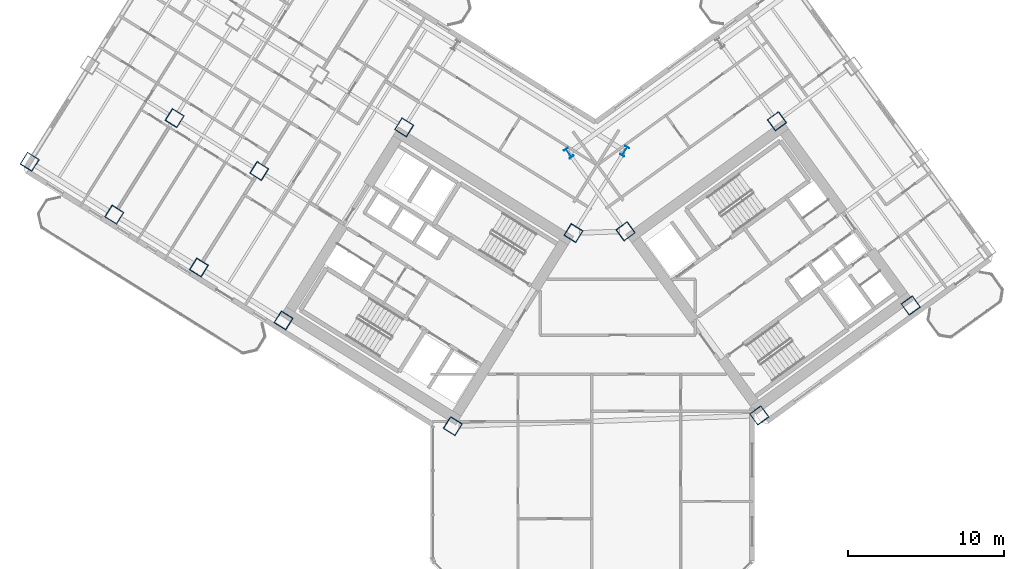
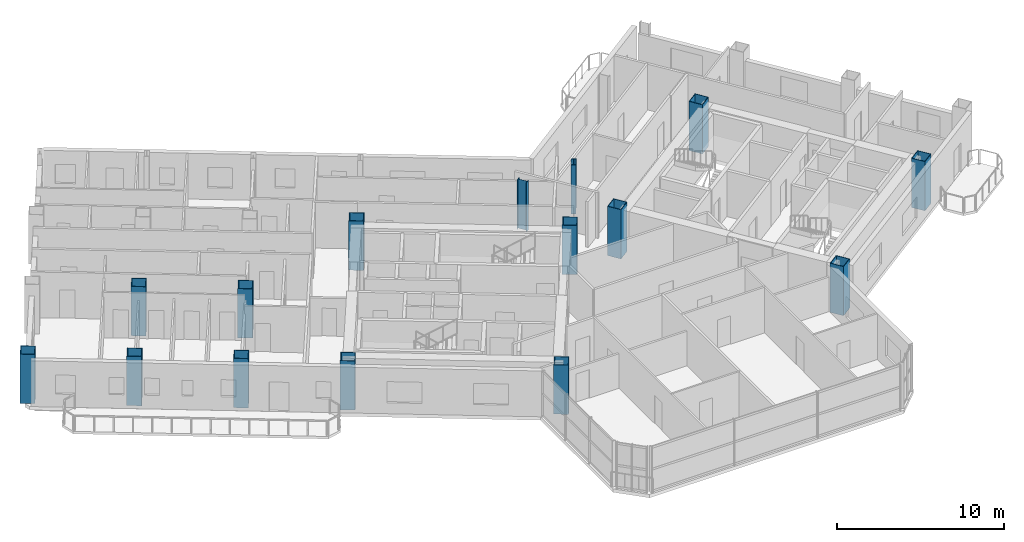
# One storey, part 1 of 21: 15 columns.
"""IFC4 building model written with IfcOpenShell, lengths in metres."""

import ifcopenshell
import ifcopenshell.guid

model = None  # the IFC model being written
_history = None  # IfcOwnerHistory: only IFC2X3 demands one
_inside = {}  # id of a spatial element -> (the spatial element, [elements in it])
_under = {}  # id of a project, library or spatial element -> (it, [spatial elements below it])
_declared = {}  # id of a project -> (the project, [libraries it declares])
_typed = {}  # id of a type object -> (the type object, [elements of that type])
_made_of = {}  # id of a material, layer set ... -> (it, [elements and type objects made of it])


def new_model(schema):
    """Start an empty IFC model of exactly this schema.

    Asked for "IFC4X3", IfcOpenShell would pick the latest addendum, in which some entities
    have other attributes; the version numbers below select the first issue.
    IFC2X3 requires an IfcOwnerHistory on every rooted entity: one is made here for all.
    """
    global model, _history
    if schema == "IFC4X3":
        model = ifcopenshell.file(schema_version=(4, 3, 0, 0))
    else:
        model = ifcopenshell.file(schema=schema)
    _inside.clear()
    _under.clear()
    _declared.clear()
    _typed.clear()
    _made_of.clear()
    _history = None
    if model.schema == "IFC2X3":
        org = make("IfcOrganization", Name="unknown")
        user = make(
            "IfcPersonAndOrganization",
            ThePerson=make("IfcPerson", FamilyName="unknown"),
            TheOrganization=org,
        )
        app = make(
            "IfcApplication",
            ApplicationDeveloper=org,
            Version="unknown",
            ApplicationFullName="unknown",
            ApplicationIdentifier="unknown",
        )
        _history = make(
            "IfcOwnerHistory",
            OwningUser=user,
            OwningApplication=app,
            ChangeAction="ADDED",
            CreationDate=0,
        )
    return model


def make(cls, **values):
    """One entity of the class cls with the attributes given. An attribute that is None is left unset."""
    return model.create_entity(
        cls, **{name: value for name, value in values.items() if value is not None}
    )


def rooted(cls, **values):
    """An entity with a GlobalId (a new one), such as an element, a storey or a relation."""
    return make(cls, GlobalId=ifcopenshell.guid.new(), OwnerHistory=_history, **values)


def si_unit(unit_type, name, prefix=None):
    """IfcSIUnit, for example si_unit("LENGTHUNIT", "METRE", prefix="MILLI")."""
    return make("IfcSIUnit", UnitType=unit_type, Prefix=prefix, Name=name)


def assignment(units):
    """IfcUnitAssignment: the units of a project."""
    return None if units is None else make("IfcUnitAssignment", Units=units)


def point(xyz):
    """IfcCartesianPoint."""
    return None if xyz is None else make("IfcCartesianPoint", Coordinates=xyz)


def direction(xyz):
    """IfcDirection."""
    return None if xyz is None else make("IfcDirection", DirectionRatios=xyz)


def frame(location, z_axis=None, x_axis=None):
    """IfcAxis2Placement3D, a coordinate frame: its origin and axes. An axis left out is left unset."""
    return make(
        "IfcAxis2Placement3D",
        Location=point(location),
        Axis=direction(z_axis),
        RefDirection=direction(x_axis),
    )


def frame_2d(location, x_axis=None):
    """IfcAxis2Placement2D, a coordinate frame in the plane: its origin and x axis."""
    return make(
        "IfcAxis2Placement2D", Location=point(location), RefDirection=direction(x_axis)
    )


def origin():
    """The frame at (0, 0, 0) with its axes left unset."""
    return frame((0.0, 0.0, 0.0))


def origin_2d():
    """The frame at (0, 0) in the plane with its x axis left unset."""
    return frame_2d((0.0, 0.0))


def place(relative_to, where):
    """IfcLocalPlacement: puts the frame where relative to a parent placement (None: the world)."""
    return make(
        "IfcLocalPlacement", PlacementRelTo=relative_to, RelativePlacement=where
    )


def context(
    kind, dimensions, precision=None, world=None, true_north=None, identifier=None
):
    """IfcGeometricRepresentationContext, for example the 3D "Model" context."""
    return make(
        "IfcGeometricRepresentationContext",
        ContextIdentifier=identifier,
        ContextType=kind,
        CoordinateSpaceDimension=dimensions,
        Precision=precision,
        WorldCoordinateSystem=world,
        TrueNorth=true_north,
    )


def subcontext(parent, identifier, kind, view, scale=None):
    """IfcGeometricRepresentationSubContext, for example "Body" below "Model"."""
    return make(
        "IfcGeometricRepresentationSubContext",
        ContextIdentifier=identifier,
        ContextType=kind,
        ParentContext=parent,
        TargetScale=scale,
        TargetView=view,
    )


def project(units=None, contexts=None):
    """IfcProject with its units and contexts."""
    return rooted(
        "IfcProject",
        Name="project",
        RepresentationContexts=contexts,
        UnitsInContext=assignment(units),
    )


def spatial(cls, under=None, at=None, **own):
    """A site, building, storey or space (cls), placed at a placement, below another one or the project."""
    s = rooted(cls, ObjectPlacement=at, **own)
    if under is not None:
        _under.setdefault(under.id(), (under, []))[1].append(s)
    return s


def profile(cls, at=None, kind="AREA", **sizes):
    """A parametric profile (cls). Its sizes go by their IFC names, for example OverallWidth=200.0."""
    return make(cls, ProfileType=kind, Position=at, **sizes)


def hollow_rectangle(**sizes):
    """IfcRectangleHollowProfileDef."""
    return profile("IfcRectangleHollowProfileDef", **sizes)


def i_section(**sizes):
    """IfcIShapeProfileDef."""
    return profile("IfcIShapeProfileDef", **sizes)


def extrude(swept, where, along, depth):
    """IfcExtrudedAreaSolid: the profile swept, set in the frame where, extruded along a direction by depth."""
    return make(
        "IfcExtrudedAreaSolid",
        SweptArea=swept,
        Position=where,
        ExtrudedDirection=direction(along),
        Depth=depth,
    )


def shape(context_of_items, identifier, shape_type, items):
    """IfcShapeRepresentation: the items that make up one representation, for example the "Body"."""
    return make(
        "IfcShapeRepresentation",
        ContextOfItems=context_of_items,
        RepresentationIdentifier=identifier,
        RepresentationType=shape_type,
        Items=items,
    )


def source(mapping_origin, context_of_items, identifier, shape_type, items):
    """IfcRepresentationMap: a shape defined once, which mapped items show again and again."""
    return make(
        "IfcRepresentationMap",
        MappingOrigin=mapping_origin,
        MappedRepresentation=shape(context_of_items, identifier, shape_type, items),
    )


def transform(
    local_origin,
    x_axis=None,
    y_axis=None,
    z_axis=None,
    scale=None,
    scale2=None,
    scale3=None,
    uniform=True,
):
    """IfcCartesianTransformationOperator3D, or its non-uniform kind. x_axis, y_axis, z_axis: its Axis1, 2, 3."""
    if uniform:
        return make(
            "IfcCartesianTransformationOperator3D",
            Axis1=direction(x_axis),
            Axis2=direction(y_axis),
            LocalOrigin=point(local_origin),
            Scale=scale,
            Axis3=direction(z_axis),
        )
    return make(
        "IfcCartesianTransformationOperator3DnonUniform",
        Axis1=direction(x_axis),
        Axis2=direction(y_axis),
        LocalOrigin=point(local_origin),
        Scale=scale,
        Axis3=direction(z_axis),
        Scale2=scale2,
        Scale3=scale3,
    )


def mapped(mapping_source, mapping_target):
    """IfcMappedItem: shows the shape of a source again, moved by a transform."""
    return make(
        "IfcMappedItem", MappingSource=mapping_source, MappingTarget=mapping_target
    )


def material(Name=None, Category=None):
    """IfcMaterial."""
    return make("IfcMaterial", Name=Name, Category=Category)


def material_profile(
    of_material, cross_section, Name=None, Category=None, Priority=None
):
    """IfcMaterialProfile: a cross section and its material."""
    return make(
        "IfcMaterialProfile",
        Name=Name,
        Material=of_material,
        Profile=cross_section,
        Priority=Priority,
        Category=Category,
    )


def profile_set(profiles, Name=None, composite=None):
    """IfcMaterialProfileSet."""
    return make(
        "IfcMaterialProfileSet",
        Name=Name,
        MaterialProfiles=profiles,
        CompositeProfile=composite,
    )


def made_of(thing, what):
    """Note that an element or type object is made of a material, layer set ...; save() writes the relation."""
    if what is not None:
        _made_of.setdefault(what.id(), (what, []))[1].append(thing)
    return thing


def type_object(cls, material=None, **own):
    """A type object (cls), such as IfcWallType, which elements share."""
    return made_of(rooted(cls, **own), material)


def element(
    cls,
    number,
    at=None,
    inside=None,
    cuts=None,
    type_object=None,
    material=None,
    context=None,
    identifier="Body",
    shape_type=None,
    held_by="IfcProductDefinitionShape",
    body=None,
    shapes=None,
    **own,
):
    """One element of the class cls, such as IfcWall. Its Tag is "e" and its number.

    at: its placement. inside: the storey or other place that contains it. cuts: it is an
    opening in that element (IfcRelVoidsElement). A single representation is given by context,
    identifier, shape_type and body (its items); several are given by shapes. held_by: the class
    of the entity that holds the representations. save() writes the other relations.
    """
    e = rooted(cls, Tag="e%d" % number, ObjectPlacement=at, **own)
    if body is not None:
        shapes = [shape(context, identifier, shape_type, body)]
    if shapes is not None:
        e.Representation = make(held_by, Representations=shapes)
    if inside is not None:
        _inside.setdefault(inside.id(), (inside, []))[1].append(e)
    if cuts is not None:
        rooted(
            "IfcRelVoidsElement", RelatingBuildingElement=cuts, RelatedOpeningElement=e
        )
    if type_object is not None:
        _typed.setdefault(type_object.id(), (type_object, []))[1].append(e)
    return made_of(e, material)


def aggregate(whole, parts):
    """IfcRelAggregates: a whole, such as a stair, and the parts it consists of."""
    return rooted("IfcRelAggregates", RelatingObject=whole, RelatedObjects=parts)


def save(model, path):
    """Write the relations noted so far, then the file.

    IfcRelAggregates (storeys below a building ...), IfcRelContainedInSpatialStructure (elements
    in a storey), IfcRelDefinesByType, IfcRelAssociatesMaterial and IfcRelDeclares: one each for
    every whole, place, type object, material and project.
    """
    for whole, parts in _under.values():
        aggregate(whole, parts)
    for where, things in _inside.values():
        rooted(
            "IfcRelContainedInSpatialStructure",
            RelatedElements=things,
            RelatingStructure=where,
        )
    for kind, things in _typed.values():
        rooted("IfcRelDefinesByType", RelatedObjects=things, RelatingType=kind)
    for what, things in _made_of.values():
        rooted("IfcRelAssociatesMaterial", RelatedObjects=things, RelatingMaterial=what)
    for by, libraries in _declared.values():
        rooted("IfcRelDeclares", RelatingContext=by, RelatedDefinitions=libraries)
    model.write(path)


model = new_model("IFC4")

# Units and contexts
model_context = context("Model", 3, precision=1e-05, world=origin(), true_north=direction((0.0, 1.0)))
body_context = subcontext(model_context, "Body", "Model", "MODEL_VIEW")
ifc_project = project(units=[si_unit("LENGTHUNIT", "METRE"), si_unit("AREAUNIT", "SQUARE_METRE"), si_unit("VOLUMEUNIT", "CUBIC_METRE"), si_unit("PLANEANGLEUNIT", "RADIAN"), si_unit("MASSUNIT", "GRAM", prefix="KILO")], contexts=[model_context])

# Site, building, storey
site_placement = place(None, origin())
site = spatial("IfcSite", under=ifc_project, at=site_placement, CompositionType="ELEMENT")
building_placement = place(site_placement, origin())
building = spatial("IfcBuilding", under=site, at=building_placement, Name="Tlacorven Tower", CompositionType="ELEMENT")
storey_placement = place(building_placement, frame((0.0, 0.0, 93.60009765625)))
storey = spatial("IfcBuildingStorey", under=building, at=storey_placement, Name="L23", CompositionType="ELEMENT", Elevation=93.60009765625)

# Columns
ifc_material = material(Name="Steel S460M", Category="steel")
ifc_material_profile_1 = material_profile(ifc_material, i_section(OverallWidth=0.300048828125, OverallDepth=0.64990234375, WebThickness=0.01611328125, FlangeThickness=0.031005859375, at=origin_2d()), Name="HEB 650")
ifc_profile_set_1 = profile_set([ifc_material_profile_1], Name="Steel S460M")
column_type_1 = type_object("IfcColumnType", Name="COL-TWR-P1", PredefinedType="COLUMN", material=ifc_profile_set_1)
shared_shape_1 = source(origin(), body_context, "Body", "SweptSolid", [
    extrude(i_section(OverallWidth=0.300048828125, OverallDepth=0.64990234375, WebThickness=0.01611328125, FlangeThickness=0.031005859375, at=origin_2d()), origin(), (0.0, 0.0, 1.0), 3.599853515625),
])
for number, where, z_axis, x_axis, name in (
    (1, (44.068359375, 29.726318359375, 0.0), (0.0, 0.0, 1.0), (-0.848048096156, 0.529919264233, 0.0), "L23 column COL-L23-W1-1"),
    (2, (40.4794921875, 29.60107421875, 0.0), (0.0, 0.0, 1.0), (0.809016994375, 0.587785252292, 0.0), "L23 column COL-L23-E1-4"),
):
    element("IfcColumn", number, at=place(storey_placement, frame(where, z_axis=z_axis, x_axis=x_axis)), inside=storey, type_object=column_type_1, Name=name, PredefinedType="COLUMN", context=body_context, shape_type="MappedRepresentation", body=[
        mapped(shared_shape_1, transform((0.0, 0.0, 0.0), scale=1.0)),
    ])
ifc_material_profile_2 = material_profile(ifc_material, hollow_rectangle(XDim=0.89990234375, YDim=0.89990234375, WallThickness=0.035888671875, at=origin_2d()), Name="BOX 900X900X36")
ifc_profile_set_2 = profile_set([ifc_material_profile_2], Name="Steel S460M")
column_type_2 = type_object("IfcColumnType", Name="COL-TWR-S2", PredefinedType="COLUMN", material=ifc_profile_set_2)
shared_shape_2 = source(origin(), body_context, "Body", "SweptSolid", [
    extrude(hollow_rectangle(XDim=0.89990234375, YDim=0.89990234375, WallThickness=0.035888671875, at=origin_2d()), origin(), (0.0, 0.0, 1.0), 3.599853515625),
])
for number, where, z_axis, x_axis, name in (
    (3, (40.782958984375, 24.468505859375, 0.0), (0.0, 0.0, 1.0), (-0.848048096156, 0.529919264233, 0.0), "L23 column COL-L23-W1-2"),
    (4, (33.046142578125, 12.0869140625, 0.0), (0.0, 0.0, 1.0), (-0.848048096156, 0.529919264233, 0.0), "L23 column COL-L23-W1-4"),
    (5, (29.927978515625, 31.25146484375, 0.0), (0.0, 0.0, 1.0), (-0.848048096156, 0.529919264233, 0.0), "L23 column COL-L23-W3-2"),
    (6, (22.191162109375, 18.869873046875, 0.0), (0.0, 0.0, 1.0), (-0.848048096156, 0.529919264233, 0.0), "L23 column COL-L23-W3-4"),
    (7, (20.632080078125, 28.4521484375, 0.0), (0.0, 0.0, 1.0), (-0.848048096156, 0.529919264233, 0.0), "L23 column COL-L23-W4-3"),
    (8, (16.763671875, 22.26123046875, 0.0), (0.0, 0.0, 1.0), (-0.848048096156, 0.529919264233, 0.0), "L23 column COL-L23-W4-4"),
    (9, (15.20458984375, 31.843505859375, 0.0), (0.0, 0.0, 1.0), (-0.848048096156, 0.529919264233, 0.0), "L23 column COL-L23-W5-3"),
    (10, (11.336181640625, 25.65283203125, 0.0), (0.0, 0.0, 1.0), (-0.848048096156, 0.529919264233, 0.0), "L23 column COL-L23-W5-4"),
    (11, (5.90869140625, 29.044189453125, 0.0), (0.0, 0.0, 1.0), (-0.848048096156, 0.529919264233, 0.0), "L23 column COL-L23-W6-4"),
    (12, (52.705322265625, 12.7734375, 0.0), (0.0, 0.0, 1.0), (0.809016994375, 0.587785252292, 0.0), "L23 column COL-L23-E1-1"),
    (13, (44.123779296875, 24.5849609375, 0.0), (0.0, 0.0, 1.0), (0.809016994375, 0.587785252292, 0.0), "L23 column COL-L23-E1-3"),
    (14, (62.41357421875, 19.826904296875, 0.0), (0.0, 0.0, 1.0), (0.809016994375, 0.587785252292, 0.0), "L23 column COL-L23-E3-1"),
    (15, (53.83203125, 31.638427734375, 0.0), (0.0, 0.0, 1.0), (0.809016994375, 0.587785252292, 0.0), "L23 column COL-L23-E3-3"),
):
    element("IfcColumn", number, at=place(storey_placement, frame(where, z_axis=z_axis, x_axis=x_axis)), inside=storey, type_object=column_type_2, Name=name, PredefinedType="COLUMN", context=body_context, shape_type="MappedRepresentation", body=[
        mapped(shared_shape_2, transform((0.0, 0.0, 0.0), scale=1.0)),
    ])

save(model, "model.ifc")
